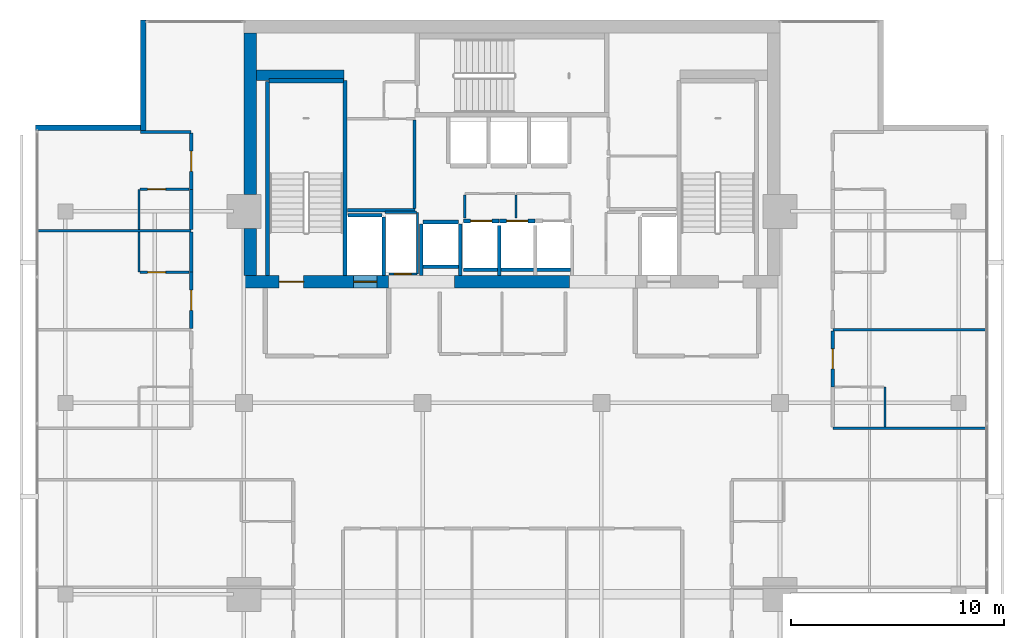
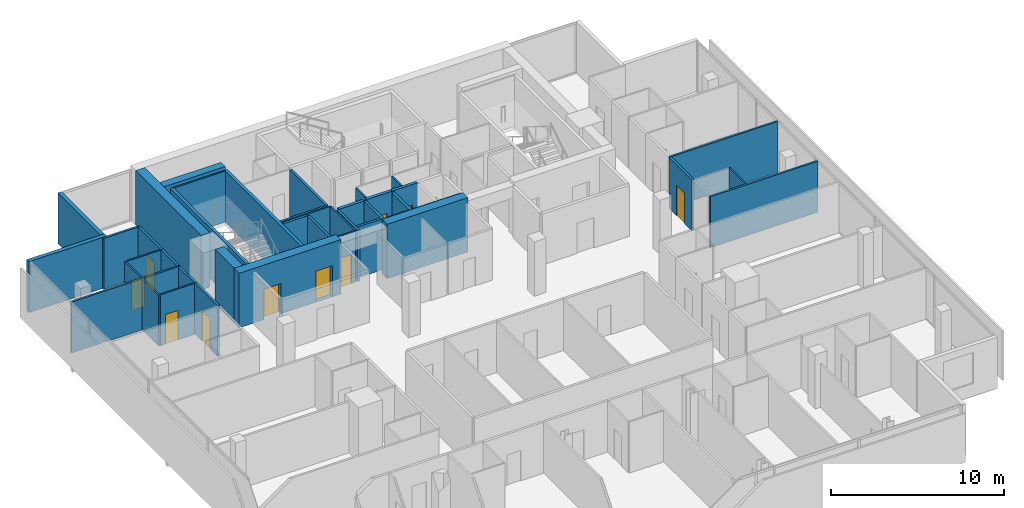
# One storey, part 22 of 26: 41 walls, 10 doors, 10 openings.
"""IFC4 building model written with IfcOpenShell, lengths in metres."""

from ifc_helpers import new_model, si_unit, direction, frame, frame_2d, origin, place, context, subcontext, project, spatial, rectangle, extrude, material, layer, layer_set, type_object, element, fill, save


model = new_model("IFC4")

# Units and contexts
model_context = context("Model", 3, precision=1e-05, world=origin(), true_north=direction((0.0, 1.0)))
body_context = subcontext(model_context, "Body", "Model", "MODEL_VIEW")
ifc_project = project(units=[si_unit("LENGTHUNIT", "METRE"), si_unit("AREAUNIT", "SQUARE_METRE"), si_unit("VOLUMEUNIT", "CUBIC_METRE"), si_unit("PLANEANGLEUNIT", "RADIAN"), si_unit("MASSUNIT", "GRAM", prefix="KILO")], contexts=[model_context])

# Site, building, storey
site_placement = place(None, origin())
site = spatial("IfcSite", under=ifc_project, at=site_placement, CompositionType="ELEMENT")
building_placement = place(site_placement, origin())
building = spatial("IfcBuilding", under=site, at=building_placement, Name="Maruvema Waterfront Hotel and Observation Tower", CompositionType="ELEMENT")
storey_placement = place(building_placement, frame((0.0, 0.0, 289.449951171875)))
storey = spatial("IfcBuildingStorey", under=building, at=storey_placement, Name="L71", CompositionType="ELEMENT", Elevation=289.449951171875)

# Walls
ifc_material_1 = material(Name="Twin-stud acoustic gypsum drywall", Category="gypsum")
ifc_layer_1 = layer(ifc_material_1, 0.14990234375, Name="Acoustic Corridor and Suite Demising Wall 150 mm")
ifc_layer_set_1 = layer_set([ifc_layer_1], Name="Twin-stud acoustic gypsum drywall")
wall_type_1 = type_object("IfcWallType", Name="Acoustic Corridor and Suite Demising Wall 150 mm", PredefinedType="PARTITIONING", material=ifc_layer_set_1)
wall_1_placement = place(storey_placement, frame((30.06005859375, 45.06005859375, 0.0), z_axis=(0.0, 0.0, 1.0), x_axis=(1.0, 0.0, 0.0)))
element("IfcWall", 1, at=wall_1_placement, inside=storey, type_object=wall_type_1, Name="L71 Freed B1 South Wall 017", PredefinedType="PARTITIONING", context=body_context, shape_type="SweptSolid", body=[
    extrude(rectangle(XDim=3.179931640625, YDim=0.14990234375, at=frame_2d((1.58984375, 0.0))), origin(), (0.0, 0.0, 1.0), 3.610107421875),
])
wall_2_placement = place(storey_placement, frame((33.219970703125, 45.139892578125, 0.0), z_axis=(0.0, 0.0, 1.0), x_axis=(0.0, 1.0, 0.0)))
element("IfcWall", 2, at=wall_2_placement, inside=storey, type_object=wall_type_1, Name="L71 Freed B1 East Wall 018", PredefinedType="PARTITIONING", context=body_context, shape_type="SweptSolid", body=[
    extrude(rectangle(XDim=4.16015625, YDim=0.14990234375, at=frame_2d((2.080078125, 0.0))), origin(), (0.0, 0.0, 1.0), 3.610107421875),
])

# Wall, opening, door
wall_3_placement = place(storey_placement, frame((52.8798828125, 36.75, 0.0), z_axis=(0.0, 0.0, 1.0), x_axis=(0.0, 1.0, 0.0)))
wall_3 = element("IfcWall", 3, at=wall_3_placement, inside=storey, type_object=wall_type_1, Name="L71 Room L71-NE1 Corridor Wall 102", PredefinedType="PARTITIONING", context=body_context, shape_type="SweptSolid", body=[
    extrude(rectangle(XDim=2.6357421875, YDim=0.14990234375, at=frame_2d((1.31787109375, 0.0))), origin(), (0.0, 0.0, 1.0), 3.610107421875),
])
opening_1_placement = place(wall_3_placement, frame((0.843017578125, 0.0, 0.0)))
opening_1 = element("IfcOpeningElement", 4, at=opening_1_placement, cuts=wall_3, Name="Opening DR-095", PredefinedType="OPENING", context=body_context, shape_type="SweptSolid", body=[
    extrude(rectangle(XDim=0.949951171875, YDim=2.14990234375, at=frame_2d((0.47509765625, 1.074951171875))), frame((0.0, 0.0849609375, 0.0), z_axis=(0.0, -1.0, 0.0), x_axis=(1.0, 0.0, 0.0)), (0.0, 0.0, 1.0), 0.169921875),
])
ifc_material_2 = material(Name="Acoustic solid-core hardwood timber leaf", Category="wood")
door_type_1 = type_object("IfcDoorType", Name="Guestroom Entrance Fire Door 950x2150 mm", OperationType="NOTDEFINED", PredefinedType="DOOR", material=ifc_material_2)
door_1_placement = place(opening_1_placement, frame((0.949951171875, 0.0, 0.0), z_axis=(0.0, 0.0, 1.0), x_axis=(-1.0, 0.0, 0.0)))
door_1 = element("IfcDoor", 5, at=door_1_placement, inside=storey, type_object=door_type_1, Name="L71 Room L71-NE1 Entrance Door", OperationType="SINGLE_SWING_LEFT", OverallHeight=2.14990234375, OverallWidth=0.949951171875, PredefinedType="DOOR", context=body_context, shape_type="SweptSolid", body=[
    extrude(rectangle(XDim=0.949951171875, YDim=2.14990234375, at=frame_2d((0.47509765625, 1.074951171875))), frame((0.0, 0.02490234375, 0.0), z_axis=(0.0, -1.0, 0.0), x_axis=(1.0, 0.0, 0.0)), (0.0, 0.0, 1.0), 0.050048828125),
])
fill(opening_1, door_1)

wall_4_placement = place(storey_placement, frame((22.719970703125, 39.505859375, 0.0), z_axis=(0.0, 0.0, 1.0), x_axis=(0.0, 1.0, 0.0)))
wall_4 = element("IfcWall", 6, at=wall_4_placement, inside=storey, type_object=wall_type_1, Name="L71 Room L71-NW2 Corridor Wall 107", PredefinedType="PARTITIONING", context=body_context, shape_type="SweptSolid", body=[
    extrude(rectangle(XDim=2.6357421875, YDim=0.14990234375, at=frame_2d((1.31787109375, 0.0))), origin(), (0.0, 0.0, 1.0), 3.610107421875),
])
opening_2_placement = place(wall_4_placement, frame((0.843017578125, 0.0, 0.0)))
opening_2 = element("IfcOpeningElement", 7, at=opening_2_placement, cuts=wall_4, Name="Opening DR-095", PredefinedType="OPENING", context=body_context, shape_type="SweptSolid", body=[
    extrude(rectangle(XDim=0.949951171875, YDim=2.14990234375, at=frame_2d((0.47509765625, 1.074951171875))), frame((0.0, 0.0849609375, 0.0), z_axis=(0.0, -1.0, 0.0), x_axis=(1.0, 0.0, 0.0)), (0.0, 0.0, 1.0), 0.169921875),
])
door_2_placement = place(opening_2_placement, origin())
door_2 = element("IfcDoor", 8, at=door_2_placement, inside=storey, type_object=door_type_1, Name="L71 Room L71-NW2 Entrance Door", OperationType="SINGLE_SWING_LEFT", OverallHeight=2.14990234375, OverallWidth=0.949951171875, PredefinedType="DOOR", context=body_context, shape_type="SweptSolid", body=[
    extrude(rectangle(XDim=0.949951171875, YDim=2.14990234375, at=frame_2d((0.47509765625, 1.074951171875))), frame((0.0, 0.02490234375, 0.0), z_axis=(0.0, -1.0, 0.0), x_axis=(1.0, 0.0, 0.0)), (0.0, 0.0, 1.0), 0.050048828125),
])
fill(opening_2, door_2)

# Walls
for number, where, z_axis, x_axis, name in (
    (9, (22.719970703125, 42.1416015625, 0.0), (0.0, 0.0, 1.0), (0.0, 1.0, 0.0), "L71 Bath L71-NW2 Wall 108"),
    (10, (22.719970703125, 44.151611328125, 0.0), (0.0, 0.0, 1.0), (0.0, 1.0, 0.0), "L71 Bath L71-NW3 Wall 117"),
):
    element("IfcWall", number, at=place(storey_placement, frame(where, z_axis=z_axis, x_axis=x_axis)), inside=storey, type_object=wall_type_1, Name=name, PredefinedType="PARTITIONING", context=body_context, shape_type="SweptSolid", body=[
        extrude(rectangle(XDim=1.89013671875, YDim=0.14990234375, at=frame_2d((0.945068359375, 0.0))), origin(), (0.0, 0.0, 1.0), 3.610107421875),
    ])

# Wall, opening, door
wall_5_placement = place(storey_placement, frame((22.719970703125, 46.041748046875, 0.0), z_axis=(0.0, 0.0, 1.0), x_axis=(0.0, 1.0, 0.0)))
wall_5 = element("IfcWall", 11, at=wall_5_placement, inside=storey, type_object=wall_type_1, Name="L71 Room L71-NW3 Corridor Wall 118", PredefinedType="PARTITIONING", context=body_context, shape_type="SweptSolid", body=[
    extrude(rectangle(XDim=2.6357421875, YDim=0.14990234375, at=frame_2d((1.31787109375, 0.0))), origin(), (0.0, 0.0, 1.0), 3.610107421875),
])
opening_3_placement = place(wall_5_placement, frame((0.843017578125, 0.0, 0.0)))
opening_3 = element("IfcOpeningElement", 12, at=opening_3_placement, cuts=wall_5, Name="Opening DR-095", PredefinedType="OPENING", context=body_context, shape_type="SweptSolid", body=[
    extrude(rectangle(XDim=0.949951171875, YDim=2.14990234375, at=frame_2d((0.47509765625, 1.074951171875))), frame((0.0, 0.0849609375, 0.0), z_axis=(0.0, -1.0, 0.0), x_axis=(1.0, 0.0, 0.0)), (0.0, 0.0, 1.0), 0.169921875),
])
door_3_placement = place(opening_3_placement, origin())
door_3 = element("IfcDoor", 13, at=door_3_placement, inside=storey, type_object=door_type_1, Name="L71 Room L71-NW3 Entrance Door", OperationType="SINGLE_SWING_LEFT", OverallHeight=2.14990234375, OverallWidth=0.949951171875, PredefinedType="DOOR", context=body_context, shape_type="SweptSolid", body=[
    extrude(rectangle(XDim=0.949951171875, YDim=2.14990234375, at=frame_2d((0.47509765625, 1.074951171875))), frame((0.0, 0.02490234375, 0.0), z_axis=(0.0, -1.0, 0.0), x_axis=(1.0, 0.0, 0.0)), (0.0, 0.0, 1.0), 0.050048828125),
])
fill(opening_3, door_3)

# Walls
ifc_material_3 = material(Name="Precast concrete C45/55", Category="concrete")
ifc_layer_2 = layer(ifc_material_3, 0.199951171875, Name="Core Shaft and Stairwell Enclosure Wall 200 mm")
ifc_layer_set_2 = layer_set([ifc_layer_2], Name="Precast concrete C45/55")
wall_type_2 = type_object("IfcWallType", Name="Core Shaft and Stairwell Enclosure Wall 200 mm", PredefinedType="SOLIDWALL", material=ifc_layer_set_2)
wall_6_placement = place(storey_placement, frame((29.949951171875, 42.0, 0.0), z_axis=(0.0, 0.0, 1.0), x_axis=(0.0, 1.0, 0.0)))
element("IfcWall", 14, at=wall_6_placement, inside=storey, type_object=wall_type_2, Name="L71 Stairwell ST-01 East Shaft Wall", PredefinedType="SOLIDWALL", context=body_context, shape_type="SweptSolid", body=[
    extrude(rectangle(XDim=9.14990234375, YDim=0.199951171875, at=frame_2d((4.574951171875, 0.0))), origin(), (0.0, 0.0, 1.0), 3.610107421875),
])
wall_7_placement = place(storey_placement, frame((26.300048828125, 42.0, 0.0), z_axis=(0.0, 0.0, 1.0), x_axis=(0.0, 1.0, 0.0)))
element("IfcWall", 15, at=wall_7_placement, inside=storey, type_object=wall_type_2, Name="L71 Stairwell ST-01 Shaft Lining Wall", PredefinedType="SOLIDWALL", context=body_context, shape_type="SweptSolid", body=[
    extrude(rectangle(XDim=9.1201171875, YDim=0.199951171875, at=frame_2d((4.56005859375, 0.0))), origin(), (0.0, 0.0, 1.0), 3.610107421875),
])
wall_8_placement = place(storey_placement, frame((26.3798828125, 51.14990234375, 0.0), z_axis=(0.0, 0.0, 1.0), x_axis=(1.0, 0.0, 0.0)))
element("IfcWall", 16, at=wall_8_placement, inside=storey, type_object=wall_type_2, Name="L71 Stairwell ST-01 Shaft Lining Wall", PredefinedType="SOLIDWALL", context=body_context, shape_type="SweptSolid", body=[
    extrude(rectangle(XDim=3.5, YDim=0.199951171875, at=frame_2d((1.75, 0.0))), origin(), (0.0, 0.0, 1.0), 3.610107421875),
])

# Wall, opening, door
wall_9_placement = place(storey_placement, frame((35.510009765625, 44.550048828125, 0.0), z_axis=(0.0, 0.0, 1.0), x_axis=(1.0, 0.0, 0.0)))
wall_9 = element("IfcWall", 17, at=wall_9_placement, inside=storey, type_object=wall_type_2, Name="L71 Lift LF-09 Hoistway Front Wall", PredefinedType="SOLIDWALL", context=body_context, shape_type="SweptSolid", body=[
    extrude(rectangle(XDim=1.679931640625, YDim=0.199951171875, at=frame_2d((0.83984375, 0.0))), origin(), (0.0, 0.0, 1.0), 3.610107421875),
])
opening_4_placement = place(wall_9_placement, frame((0.340087890625, 0.0, 0.0)))
opening_4 = element("IfcOpeningElement", 18, at=opening_4_placement, cuts=wall_9, Name="Opening LD-01", PredefinedType="OPENING", context=body_context, shape_type="SweptSolid", body=[
    extrude(rectangle(XDim=1.0, YDim=2.14990234375, at=frame_2d((0.5, 1.074951171875))), frame((0.0, 0.10986328125, 0.0), z_axis=(0.0, -1.0, 0.0), x_axis=(1.0, 0.0, 0.0)), (0.0, 0.0, 1.0), 0.219970703125),
])
ifc_material_4 = material(Name="Brushed stainless steel Grade 316", Category="steel")
door_type_2 = type_object("IfcDoorType", Name="Passenger Lift Sliding Landing Door 1000x2150 mm", OperationType="SLIDING_TO_LEFT", PredefinedType="DOOR", material=ifc_material_4)
door_4_placement = place(opening_4_placement, origin())
door_4 = element("IfcDoor", 19, at=door_4_placement, inside=storey, type_object=door_type_2, Name="L71 Lift LF-09 Sliding Landing Door", OperationType="SLIDING_TO_LEFT", OverallHeight=2.14990234375, OverallWidth=1.0, PredefinedType="DOOR", context=body_context, shape_type="SweptSolid", body=[
    extrude(rectangle(XDim=1.0, YDim=2.14990234375, at=frame_2d((0.5, 1.074951171875))), frame((0.0, 0.02490234375, 0.0), z_axis=(0.0, -1.0, 0.0), x_axis=(1.0, 0.0, 0.0)), (0.0, 0.0, 1.0), 0.050048828125),
])
fill(opening_4, door_4)

wall_10_placement = place(storey_placement, frame((37.2099609375, 44.550048828125, 0.0), z_axis=(0.0, 0.0, 1.0), x_axis=(1.0, 0.0, 0.0)))
wall_10 = element("IfcWall", 20, at=wall_10_placement, inside=storey, type_object=wall_type_2, Name="L71 Lift LF-10 Hoistway Front Wall", PredefinedType="SOLIDWALL", context=body_context, shape_type="SweptSolid", body=[
    extrude(rectangle(XDim=1.679931640625, YDim=0.199951171875, at=frame_2d((0.83984375, 0.0))), origin(), (0.0, 0.0, 1.0), 3.610107421875),
])
opening_5_placement = place(wall_10_placement, frame((0.340087890625, 0.0, 0.0)))
opening_5 = element("IfcOpeningElement", 21, at=opening_5_placement, cuts=wall_10, Name="Opening LD-01", PredefinedType="OPENING", context=body_context, shape_type="SweptSolid", body=[
    extrude(rectangle(XDim=1.0, YDim=2.14990234375, at=frame_2d((0.5, 1.074951171875))), frame((0.0, 0.10986328125, 0.0), z_axis=(0.0, -1.0, 0.0), x_axis=(1.0, 0.0, 0.0)), (0.0, 0.0, 1.0), 0.219970703125),
])
door_5_placement = place(opening_5_placement, origin())
door_5 = element("IfcDoor", 22, at=door_5_placement, inside=storey, type_object=door_type_2, Name="L71 Lift LF-10 Sliding Landing Door", OperationType="SLIDING_TO_LEFT", OverallHeight=2.14990234375, OverallWidth=1.0, PredefinedType="DOOR", context=body_context, shape_type="SweptSolid", body=[
    extrude(rectangle(XDim=1.0, YDim=2.14990234375, at=frame_2d((0.5, 1.074951171875))), frame((0.0, 0.02490234375, 0.0), z_axis=(0.0, -1.0, 0.0), x_axis=(1.0, 0.0, 0.0)), (0.0, 0.0, 1.0), 0.050048828125),
])
fill(opening_5, door_5)

# Walls
wall_11_placement = place(storey_placement, frame((33.610107421875, 44.5, 0.0), z_axis=(0.0, 0.0, 1.0), x_axis=(1.0, 0.0, 0.0)))
element("IfcWall", 23, at=wall_11_placement, inside=storey, type_object=wall_type_2, Name="L71 Lift LF-15 Hoistway Front Wall", PredefinedType="SOLIDWALL", context=body_context, shape_type="SweptSolid", body=[
    extrude(rectangle(XDim=1.679931640625, YDim=0.199951171875, at=frame_2d((0.83984375, 0.0))), origin(), (0.0, 0.0, 1.0), 3.610107421875),
])
ifc_material_5 = material(Name="Concrete C70/85", Category="concrete")
ifc_layer_3 = layer(ifc_material_5, 0.5, Name="Core Shear Wall 500 mm")
ifc_layer_set_3 = layer_set([ifc_layer_3], Name="Concrete C70/85")
wall_type_3 = type_object("IfcWallType", Name="Core Shear Wall 500 mm", PredefinedType="SHEAR", material=ifc_layer_set_3)
wall_12_placement = place(storey_placement, frame((25.800048828125, 51.39990234375, 0.0), z_axis=(0.0, 0.0, 1.0), x_axis=(1.0, 0.0, 0.0)))
element("IfcWall", 24, at=wall_12_placement, inside=storey, type_object=wall_type_3, Name="L71 Internal Core Shear Wall NW 500 mm", PredefinedType="SHEAR", context=body_context, shape_type="SweptSolid", body=[
    extrude(rectangle(XDim=4.099853515625, YDim=0.5, at=frame_2d((2.0498046875, 0.0))), origin(), (0.0, 0.0, 1.0), 3.85009765625),
])

# Wall, openings, doors
ifc_material_6 = material(Name="Concrete C60/75", Category="concrete")
ifc_layer_4 = layer(ifc_material_6, 0.60009765625, Name="Core Shear Wall 600 mm")
ifc_layer_set_4 = layer_set([ifc_layer_4], Name="Concrete C60/75")
wall_type_4 = type_object("IfcWallType", Name="Core Shear Wall 600 mm", PredefinedType="SHEAR", material=ifc_layer_set_4)
wall_13_placement = place(storey_placement, frame((25.199951171875, 41.699951171875, 0.0), z_axis=(0.0, 0.0, 1.0), x_axis=(1.0, 0.0, 0.0)))
wall_13 = element("IfcWall", 25, at=wall_13_placement, inside=storey, type_object=wall_type_4, Name="L71 South-West Core Shear Wall", PredefinedType="SHEAR", context=body_context, shape_type="SweptSolid", body=[
    extrude(rectangle(XDim=6.800048828125, YDim=0.60009765625, at=frame_2d((3.39990234375, 0.0))), origin(), (0.0, 0.0, 1.0), 3.85009765625),
])
opening_6_placement = place(wall_13_placement, frame((1.64990234375, 0.0, 0.0)))
opening_6 = element("IfcOpeningElement", 26, at=opening_6_placement, cuts=wall_13, Name="Opening SD-01", PredefinedType="OPENING", context=body_context, shape_type="SweptSolid", body=[
    extrude(rectangle(XDim=1.14990234375, YDim=2.14990234375, at=frame_2d((0.574951171875, 1.074951171875))), frame((0.0, 0.31005859375, 0.0), z_axis=(0.0, -1.0, 0.0), x_axis=(1.0, 0.0, 0.0)), (0.0, 0.0, 1.0), 0.6201171875),
])
opening_7_placement = place(wall_13_placement, frame((5.14990234375, 0.0, 0.0)))
opening_7 = element("IfcOpeningElement", 27, at=opening_7_placement, cuts=wall_13, Name="Opening LD-03", PredefinedType="OPENING", context=body_context, shape_type="SweptSolid", body=[
    extrude(rectangle(XDim=1.10009765625, YDim=2.199951171875, at=frame_2d((0.550048828125, 1.10009765625))), frame((0.0, 0.31005859375, 0.0), z_axis=(0.0, -1.0, 0.0), x_axis=(1.0, 0.0, 0.0)), (0.0, 0.0, 1.0), 0.6201171875),
])
ifc_material_7 = material(Name="Fire-rated galvanised steel leaf", Category="steel")
door_type_3 = type_object("IfcDoorType", Name="Exit Stair Fire Door 1150x2150 mm", OperationType="NOTDEFINED", PredefinedType="DOOR", material=ifc_material_7)
door_6_placement = place(opening_6_placement, origin())
door_6 = element("IfcDoor", 28, at=door_6_placement, inside=storey, type_object=door_type_3, Name="L71 Exit Stair ST-01 Fire Door", OperationType="SINGLE_SWING_LEFT", OverallHeight=2.14990234375, OverallWidth=1.14990234375, PredefinedType="DOOR", context=body_context, shape_type="SweptSolid", body=[
    extrude(rectangle(XDim=1.14990234375, YDim=2.14990234375, at=frame_2d((0.574951171875, 1.074951171875))), frame((0.0, 0.02490234375, 0.0), z_axis=(0.0, -1.0, 0.0), x_axis=(1.0, 0.0, 0.0)), (0.0, 0.0, 1.0), 0.050048828125),
])
fill(opening_6, door_6)
ifc_material_8 = material(Name="Brushed stainless steel Grade 316", Category="steel")
door_type_4 = type_object("IfcDoorType", Name="Firefighting Lift Sliding Landing Door 1100x2200 mm", OperationType="SLIDING_TO_LEFT", PredefinedType="DOOR", material=ifc_material_8)
door_7_placement = place(opening_7_placement, frame((1.10009765625, 0.0, 0.0), z_axis=(0.0, 0.0, 1.0), x_axis=(-1.0, 0.0, 0.0)))
door_7 = element("IfcDoor", 29, at=door_7_placement, inside=storey, type_object=door_type_4, Name="L71 Firefighting Lift FL-01 Landing Door", OperationType="SLIDING_TO_LEFT", OverallHeight=2.199951171875, OverallWidth=1.10009765625, PredefinedType="DOOR", context=body_context, shape_type="SweptSolid", body=[
    extrude(rectangle(XDim=1.10009765625, YDim=2.199951171875, at=frame_2d((0.550048828125, 1.10009765625))), frame((0.0, 0.02490234375, 0.0), z_axis=(0.0, -1.0, 0.0), x_axis=(1.0, 0.0, 0.0)), (0.0, 0.0, 1.0), 0.050048828125),
])
fill(opening_7, door_7)

# Walls
wall_14_placement = place(storey_placement, frame((35.10009765625, 41.699951171875, 0.0), z_axis=(0.0, 0.0, 1.0), x_axis=(1.0, 0.0, 0.0)))
element("IfcWall", 30, at=wall_14_placement, inside=storey, type_object=wall_type_4, Name="L71 South-Central Core Shear Wall", PredefinedType="SHEAR", context=body_context, shape_type="SweptSolid", body=[
    extrude(rectangle(XDim=5.39990234375, YDim=0.60009765625, at=frame_2d((2.699951171875, 0.0))), origin(), (0.0, 0.0, 1.0), 3.85009765625),
])
wall_15_placement = place(storey_placement, frame((25.5, 42.0, 0.0), z_axis=(0.0, 0.0, 1.0), x_axis=(0.0, 1.0, 0.0)))
element("IfcWall", 31, at=wall_15_placement, inside=storey, type_object=wall_type_4, Name="L71 West-South Core Shear Wall", PredefinedType="SHEAR", context=body_context, shape_type="SweptSolid", body=[
    extrude(rectangle(XDim=2.199951171875, YDim=0.60009765625, at=frame_2d((1.10009765625, 0.0))), origin(), (0.0, 0.0, 1.0), 3.85009765625),
])
wall_16_placement = place(storey_placement, frame((25.5, 45.800048828125, 0.0), z_axis=(0.0, 0.0, 1.0), x_axis=(0.0, 1.0, 0.0)))
element("IfcWall", 32, at=wall_16_placement, inside=storey, type_object=wall_type_4, Name="L71 West-North Core Shear Wall", PredefinedType="SHEAR", context=body_context, shape_type="SweptSolid", body=[
    extrude(rectangle(XDim=7.599853515625, YDim=0.60009765625, at=frame_2d((3.7998046875, 0.0))), origin(), (0.0, 0.0, 1.0), 3.85009765625),
])

# Wall, opening, door
ifc_material_9 = material(Name="Moisture-resistant cement-board drywall", Category="gypsum")
ifc_layer_5 = layer(ifc_material_9, 0.10009765625, Name="En-Suite Moisture-Resistant Partition 100 mm")
ifc_layer_set_5 = layer_set([ifc_layer_5], Name="Moisture-resistant cement-board drywall")
wall_type_5 = type_object("IfcWallType", Name="En-Suite Moisture-Resistant Partition 100 mm", PredefinedType="PARTITIONING", material=ifc_layer_set_5)
wall_17_placement = place(storey_placement, frame((32.02001953125, 42.06005859375, 0.0), z_axis=(0.0, 0.0, 1.0), x_axis=(1.0, 0.0, 0.0)))
wall_17 = element("IfcWall", 33, at=wall_17_placement, inside=storey, type_object=wall_type_5, Name="L71 Telecom Riser South Wall 007", PredefinedType="PARTITIONING", context=body_context, shape_type="SweptSolid", body=[
    extrude(rectangle(XDim=1.320068359375, YDim=0.10009765625, at=frame_2d((0.66015625, 0.0))), origin(), (0.0, 0.0, 1.0), 3.610107421875),
])
opening_8_placement = place(wall_17_placement, frame((0.239990234375, 0.0, 0.0)))
opening_8 = element("IfcOpeningElement", 34, at=opening_8_placement, cuts=wall_17, Name="Opening DR-080", PredefinedType="OPENING", context=body_context, shape_type="SweptSolid", body=[
    extrude(rectangle(XDim=0.800048828125, YDim=2.050048828125, at=frame_2d((0.39990234375, 1.02490234375))), frame((0.0, 0.06005859375, 0.0), z_axis=(0.0, -1.0, 0.0), x_axis=(1.0, 0.0, 0.0)), (0.0, 0.0, 1.0), 0.1201171875),
])
ifc_material_10 = material(Name="Powder-coated steel access leaf", Category="steel")
door_type_5 = type_object("IfcDoorType", Name="Riser and Service Cupboard Door 800x2050 mm", OperationType="NOTDEFINED", PredefinedType="DOOR", material=ifc_material_10)
door_8_placement = place(opening_8_placement, frame((0.800048828125, 0.0, 0.0), z_axis=(0.0, 0.0, 1.0), x_axis=(-1.0, 0.0, 0.0)))
door_8 = element("IfcDoor", 35, at=door_8_placement, inside=storey, type_object=door_type_5, Name="L71 Telecom Riser Door", OperationType="SINGLE_SWING_RIGHT", OverallHeight=2.050048828125, OverallWidth=0.800048828125, PredefinedType="DOOR", context=body_context, shape_type="SweptSolid", body=[
    extrude(rectangle(XDim=0.800048828125, YDim=2.050048828125, at=frame_2d((0.39990234375, 1.02490234375))), frame((0.0, 0.02490234375, 0.0), z_axis=(0.0, -1.0, 0.0), x_axis=(1.0, 0.0, 0.0)), (0.0, 0.0, 1.0), 0.050048828125),
])
fill(opening_8, door_8)

# Walls
wall_18_placement = place(storey_placement, frame((31.840087890625, 44.9599609375, 0.0), z_axis=(0.0, 0.0, 1.0), x_axis=(1.0, 0.0, 0.0)))
element("IfcWall", 36, at=wall_18_placement, inside=storey, type_object=wall_type_5, Name="L71 Telecom Riser North Wall 008", PredefinedType="PARTITIONING", context=body_context, shape_type="SweptSolid", body=[
    extrude(rectangle(XDim=1.47998046875, YDim=0.10009765625, at=frame_2d((0.739990234375, 0.0))), origin(), (0.0, 0.0, 1.0), 3.610107421875),
])
wall_19_placement = place(storey_placement, frame((33.360107421875, 42.06005859375, 0.0), z_axis=(0.0, 0.0, 1.0), x_axis=(0.0, 1.0, 0.0)))
element("IfcWall", 37, at=wall_19_placement, inside=storey, type_object=wall_type_5, Name="L71 Telecom Riser East Wall 009", PredefinedType="PARTITIONING", context=body_context, shape_type="SweptSolid", body=[
    extrude(rectangle(XDim=2.8798828125, YDim=0.10009765625, at=frame_2d((1.43994140625, 0.0))), origin(), (0.0, 0.0, 1.0), 3.610107421875),
])
for number, where, z_axis, x_axis, name in (
    (38, (35.580078125, 44.699951171875, 0.0), (0.0, 0.0, 1.0), (0.0, 1.0, 0.0), "L71 Core Closet K2 West 012"),
    (39, (37.97998046875, 44.699951171875, 0.0), (0.0, 0.0, 1.0), (0.0, 1.0, 0.0), "L71 Core Closet K2 Mid 013"),
):
    element("IfcWall", number, at=place(storey_placement, frame(where, z_axis=z_axis, x_axis=x_axis)), inside=storey, type_object=wall_type_5, Name=name, PredefinedType="PARTITIONING", context=body_context, shape_type="SweptSolid", body=[
        extrude(rectangle(XDim=1.080078125, YDim=0.10009765625, at=frame_2d((0.5400390625, 0.0))), origin(), (0.0, 0.0, 1.0), 3.610107421875),
    ])
wall_20_placement = place(storey_placement, frame((55.330078125, 34.860107421875, 0.0), z_axis=(0.0, 0.0, 1.0), x_axis=(0.0, 1.0, 0.0)))
element("IfcWall", 40, at=wall_20_placement, inside=storey, type_object=wall_type_5, Name="L71 En-Suite L71-NE1 E 103", PredefinedType="PARTITIONING", context=body_context, shape_type="SweptSolid", body=[
    extrude(rectangle(XDim=1.889892578125, YDim=0.10009765625, at=frame_2d((0.94482421875, 0.0))), origin(), (0.0, 0.0, 1.0), 3.610107421875),
])
wall_21_placement = place(storey_placement, frame((20.27001953125, 42.1416015625, 0.0), z_axis=(0.0, 0.0, 1.0), x_axis=(0.0, 1.0, 0.0)))
element("IfcWall", 41, at=wall_21_placement, inside=storey, type_object=wall_type_5, Name="L71 En-Suite L71-NW2 W 109", PredefinedType="PARTITIONING", context=body_context, shape_type="SweptSolid", body=[
    extrude(rectangle(XDim=1.89013671875, YDim=0.10009765625, at=frame_2d((0.945068359375, 0.0))), origin(), (0.0, 0.0, 1.0), 3.610107421875),
])

# Wall, opening, door
wall_22_placement = place(storey_placement, frame((20.320068359375, 42.1416015625, 0.0), z_axis=(0.0, 0.0, 1.0), x_axis=(1.0, 0.0, 0.0)))
wall_22 = element("IfcWall", 42, at=wall_22_placement, inside=storey, type_object=wall_type_5, Name="L71 En-Suite L71-NW2 S 110", PredefinedType="PARTITIONING", context=body_context, shape_type="SweptSolid", body=[
    extrude(rectangle(XDim=2.300048828125, YDim=0.10009765625, at=frame_2d((1.14990234375, 0.0))), origin(), (0.0, 0.0, 1.0), 3.610107421875),
])
opening_9_placement = place(wall_22_placement, frame((0.35009765625, 0.0, 0.0)))
opening_9 = element("IfcOpeningElement", 43, at=opening_9_placement, cuts=wall_22, Name="Opening DR-085", PredefinedType="OPENING", context=body_context, shape_type="SweptSolid", body=[
    extrude(rectangle(XDim=0.85009765625, YDim=2.10009765625, at=frame_2d((0.425048828125, 1.050048828125))), frame((0.0, 0.06005859375, 0.0), z_axis=(0.0, -1.0, 0.0), x_axis=(1.0, 0.0, 0.0)), (0.0, 0.0, 1.0), 0.1201171875),
])
ifc_material_11 = material(Name="Moisture-resistant solid timber leaf", Category="wood")
door_type_6 = type_object("IfcDoorType", Name="En-Suite Bathroom Door 850x2100 mm", OperationType="NOTDEFINED", PredefinedType="DOOR", material=ifc_material_11)
door_9_placement = place(opening_9_placement, frame((0.85009765625, 0.0, 0.0), z_axis=(0.0, 0.0, 1.0), x_axis=(-1.0, 0.0, 0.0)))
door_9 = element("IfcDoor", 44, at=door_9_placement, inside=storey, type_object=door_type_6, Name="L71 En-Suite L71-NW2 Door", OperationType="SINGLE_SWING_RIGHT", OverallHeight=2.10009765625, OverallWidth=0.85009765625, PredefinedType="DOOR", context=body_context, shape_type="SweptSolid", body=[
    extrude(rectangle(XDim=0.85009765625, YDim=2.10009765625, at=frame_2d((0.425048828125, 1.050048828125))), frame((0.0, 0.02490234375, 0.0), z_axis=(0.0, -1.0, 0.0), x_axis=(1.0, 0.0, 0.0)), (0.0, 0.0, 1.0), 0.050048828125),
])
fill(opening_9, door_9)

# Wall
wall_23_placement = place(storey_placement, frame((20.27001953125, 44.151611328125, 0.0), z_axis=(0.0, 0.0, 1.0), x_axis=(0.0, 1.0, 0.0)))
element("IfcWall", 45, at=wall_23_placement, inside=storey, type_object=wall_type_5, Name="L71 En-Suite L71-NW3 W 119", PredefinedType="PARTITIONING", context=body_context, shape_type="SweptSolid", body=[
    extrude(rectangle(XDim=1.89013671875, YDim=0.10009765625, at=frame_2d((0.945068359375, 0.0))), origin(), (0.0, 0.0, 1.0), 3.610107421875),
])

# Wall, opening, door
wall_24_placement = place(storey_placement, frame((20.320068359375, 46.041748046875, 0.0), z_axis=(0.0, 0.0, 1.0), x_axis=(1.0, 0.0, 0.0)))
wall_24 = element("IfcWall", 46, at=wall_24_placement, inside=storey, type_object=wall_type_5, Name="L71 En-Suite L71-NW3 N 120", PredefinedType="PARTITIONING", context=body_context, shape_type="SweptSolid", body=[
    extrude(rectangle(XDim=2.300048828125, YDim=0.10009765625, at=frame_2d((1.14990234375, 0.0))), origin(), (0.0, 0.0, 1.0), 3.610107421875),
])
opening_10_placement = place(wall_24_placement, frame((0.35009765625, 0.0, 0.0)))
opening_10 = element("IfcOpeningElement", 47, at=opening_10_placement, cuts=wall_24, Name="Opening DR-085", PredefinedType="OPENING", context=body_context, shape_type="SweptSolid", body=[
    extrude(rectangle(XDim=0.85009765625, YDim=2.10009765625, at=frame_2d((0.425048828125, 1.050048828125))), frame((0.0, 0.06005859375, 0.0), z_axis=(0.0, -1.0, 0.0), x_axis=(1.0, 0.0, 0.0)), (0.0, 0.0, 1.0), 0.1201171875),
])
door_10_placement = place(opening_10_placement, origin())
door_10 = element("IfcDoor", 48, at=door_10_placement, inside=storey, type_object=door_type_6, Name="L71 En-Suite L71-NW3 Door", OperationType="SINGLE_SWING_RIGHT", OverallHeight=2.10009765625, OverallWidth=0.85009765625, PredefinedType="DOOR", context=body_context, shape_type="SweptSolid", body=[
    extrude(rectangle(XDim=0.85009765625, YDim=2.10009765625, at=frame_2d((0.425048828125, 1.050048828125))), frame((0.0, 0.02490234375, 0.0), z_axis=(0.0, -1.0, 0.0), x_axis=(1.0, 0.0, 0.0)), (0.0, 0.0, 1.0), 0.050048828125),
])
fill(opening_10, door_10)

# Walls
ifc_material_12 = material(Name="Precast concrete C45/55 with honed Pernambuco granite facing", Category="masonry")
ifc_layer_6 = layer(ifc_material_12, 0.260009765625, Name="Exterior Granite Clad Spandrel and Pier Wall 260 mm")
ifc_layer_set_6 = layer_set([ifc_layer_6], Name="Precast concrete C45/55 with honed Pernambuco granite facing")
wall_type_6 = type_object("IfcWallType", Name="Exterior Granite Clad Spandrel and Pier Wall 260 mm", PredefinedType="SOLIDWALL", material=ifc_layer_set_6)
wall_25_placement = place(storey_placement, frame((20.469970703125, 48.800048828125, 0.0), z_axis=(0.0, 0.0, 1.0), x_axis=(0.0, 1.0, 0.0)))
element("IfcWall", 49, at=wall_25_placement, inside=storey, type_object=wall_type_6, Name="L71 Corner Notch Granite Pier Wall NW1", PredefinedType="SOLIDWALL", context=body_context, shape_type="SweptSolid", body=[
    extrude(rectangle(XDim=5.199951171875, YDim=0.260009765625, at=frame_2d((2.60009765625, 0.0))), origin(), (0.0, 0.0, 1.0), 3.610107421875),
])
wall_26_placement = place(storey_placement, frame((15.39990234375, 48.929931640625, 0.0), z_axis=(0.0, 0.0, 1.0), x_axis=(1.0, 0.0, 0.0)))
element("IfcWall", 50, at=wall_26_placement, inside=storey, type_object=wall_type_6, Name="L71 Corner Notch Granite Pier Wall NW2", PredefinedType="SOLIDWALL", context=body_context, shape_type="SweptSolid", body=[
    extrude(rectangle(XDim=5.2001953125, YDim=0.260009765625, at=frame_2d((2.60009765625, 0.0))), origin(), (0.0, 0.0, 1.0), 3.610107421875),
])
ifc_material_13 = material(Name="Acoustic gypsum plasterboard drywall", Category="gypsum")
ifc_layer_7 = layer(ifc_material_13, 0.125, Name="Guestroom Acoustic Demising Wall 125 mm")
ifc_layer_set_7 = layer_set([ifc_layer_7], Name="Acoustic gypsum plasterboard drywall")
wall_type_7 = type_object("IfcWallType", Name="Guestroom Acoustic Demising Wall 125 mm", PredefinedType="PARTITIONING", material=ifc_layer_set_7)
wall_27_placement = place(storey_placement, frame((52.8798828125, 34.800048828125, 0.0), z_axis=(0.0, 0.0, 1.0), x_axis=(1.0, 0.0, 0.0)))
element("IfcWall", 51, at=wall_27_placement, inside=storey, type_object=wall_type_7, Name="L71 Z3 NE Bot End 094", PredefinedType="PARTITIONING", context=body_context, shape_type="SweptSolid", body=[
    extrude(rectangle(XDim=7.22021484375, YDim=0.125, at=frame_2d((3.610107421875, 0.0))), origin(), (0.0, 0.0, 1.0), 3.610107421875),
])
wall_28_placement = place(storey_placement, frame((20.340087890625, 48.737548828125, 0.0), z_axis=(0.0, 0.0, 1.0), x_axis=(1.0, 0.0, 0.0)))
element("IfcWall", 52, at=wall_28_placement, inside=storey, type_object=wall_type_7, Name="L71 Z3 NW Top End 095", PredefinedType="PARTITIONING", context=body_context, shape_type="SweptSolid", body=[
    extrude(rectangle(XDim=2.3798828125, YDim=0.125, at=frame_2d((1.18994140625, 0.0))), origin(), (0.0, 0.0, 1.0), 3.610107421875),
])
wall_29_placement = place(storey_placement, frame((52.8798828125, 39.44580078125, 0.0), z_axis=(0.0, 0.0, 1.0), x_axis=(1.0, 0.0, 0.0)))
element("IfcWall", 53, at=wall_29_placement, inside=storey, type_object=wall_type_7, Name="L71 Z3 NE Demising 2 106", PredefinedType="PARTITIONING", context=body_context, shape_type="SweptSolid", body=[
    extrude(rectangle(XDim=7.22021484375, YDim=0.125, at=frame_2d((3.610107421875, 0.0))), origin(), (0.0, 0.0, 1.0), 3.610107421875),
])
wall_30_placement = place(storey_placement, frame((15.5, 44.091796875, 0.0), z_axis=(0.0, 0.0, 1.0), x_axis=(1.0, 0.0, 0.0)))
element("IfcWall", 54, at=wall_30_placement, inside=storey, type_object=wall_type_7, Name="L71 Z3 NW Demising 3 115", PredefinedType="PARTITIONING", context=body_context, shape_type="SweptSolid", body=[
    extrude(rectangle(XDim=7.219970703125, YDim=0.125, at=frame_2d((3.60986328125, 0.0))), origin(), (0.0, 0.0, 1.0), 3.610107421875),
])
ifc_material_14 = material(Name="Precast concrete C45/55", Category="concrete")
ifc_layer_8 = layer(ifc_material_14, 0.159912109375, Name="Lift Hoistway Divider Wall 160 mm")
ifc_layer_set_8 = layer_set([ifc_layer_8], Name="Precast concrete C45/55")
wall_type_8 = type_object("IfcWallType", Name="Lift Hoistway Divider Wall 160 mm", PredefinedType="SOLIDWALL", material=ifc_layer_set_8)
wall_31_placement = place(storey_placement, frame((30.10009765625, 44.830078125, 0.0), z_axis=(0.0, 0.0, 1.0), x_axis=(1.0, 0.0, 0.0)))
element("IfcWall", 55, at=wall_31_placement, inside=storey, type_object=wall_type_8, Name="L71 Lift FL-01 Rear Hoistway Wall", PredefinedType="SOLIDWALL", context=body_context, shape_type="SweptSolid", body=[
    extrude(rectangle(XDim=1.599853515625, YDim=0.159912109375, at=frame_2d((0.7998046875, 0.0))), origin(), (0.0, 0.0, 1.0), 3.610107421875),
])
wall_32_placement = place(storey_placement, frame((31.780029296875, 42.0, 0.0), z_axis=(0.0, 0.0, 1.0), x_axis=(0.0, 1.0, 0.0)))
element("IfcWall", 56, at=wall_32_placement, inside=storey, type_object=wall_type_8, Name="L71 Lift FL-01 Inner Hoistway Wall", PredefinedType="SOLIDWALL", context=body_context, shape_type="SweptSolid", body=[
    extrude(rectangle(XDim=2.739990234375, YDim=0.159912109375, at=frame_2d((1.3701171875, 0.0))), origin(), (0.0, 0.0, 1.0), 3.610107421875),
])
wall_33_placement = place(storey_placement, frame((37.199951171875, 42.0, 0.0), z_axis=(0.0, 0.0, 1.0), x_axis=(0.0, 1.0, 0.0)))
element("IfcWall", 57, at=wall_33_placement, inside=storey, type_object=wall_type_8, Name="L71 Hoistway Divider Wall", PredefinedType="SOLIDWALL", context=body_context, shape_type="SweptSolid", body=[
    extrude(rectangle(XDim=2.35009765625, YDim=0.159912109375, at=frame_2d((1.175048828125, 0.0))), origin(), (0.0, 0.0, 1.0), 3.610107421875),
])
wall_34_placement = place(storey_placement, frame((35.52001953125, 42.260009765625, 0.0), z_axis=(0.0, 0.0, 1.0), x_axis=(1.0, 0.0, 0.0)))
element("IfcWall", 58, at=wall_34_placement, inside=storey, type_object=wall_type_8, Name="L71 Hoistway Divider Wall", PredefinedType="SOLIDWALL", context=body_context, shape_type="SweptSolid", body=[
    extrude(rectangle(XDim=5.02001953125, YDim=0.159912109375, at=frame_2d((2.510009765625, 0.0))), origin(), (0.0, 0.0, 1.0), 3.610107421875),
])
for number, where, z_axis, x_axis, name in (
    (59, (33.5400390625, 42.0, 0.0), (0.0, 0.0, 1.0), (0.0, 1.0, 0.0), "L71 Hoistway Divider Wall"),
    (60, (35.360107421875, 42.0, 0.0), (0.0, 0.0, 1.0), (0.0, 1.0, 0.0), "L71 Hoistway Divider Wall"),
):
    element("IfcWall", number, at=place(storey_placement, frame(where, z_axis=z_axis, x_axis=x_axis)), inside=storey, type_object=wall_type_8, Name=name, PredefinedType="SOLIDWALL", context=body_context, shape_type="SweptSolid", body=[
        extrude(rectangle(XDim=2.39990234375, YDim=0.159912109375, at=frame_2d((1.199951171875, 0.0))), origin(), (0.0, 0.0, 1.0), 3.610107421875),
    ])
wall_35_placement = place(storey_placement, frame((33.6201171875, 42.39990234375, 0.0), z_axis=(0.0, 0.0, 1.0), x_axis=(1.0, 0.0, 0.0)))
element("IfcWall", 61, at=wall_35_placement, inside=storey, type_object=wall_type_8, Name="L71 Hoistway Divider Wall", PredefinedType="SOLIDWALL", context=body_context, shape_type="SweptSolid", body=[
    extrude(rectangle(XDim=1.659912109375, YDim=0.159912109375, at=frame_2d((0.830078125, 0.0))), origin(), (0.0, 0.0, 1.0), 3.610107421875),
])

save(model, "model.ifc")
